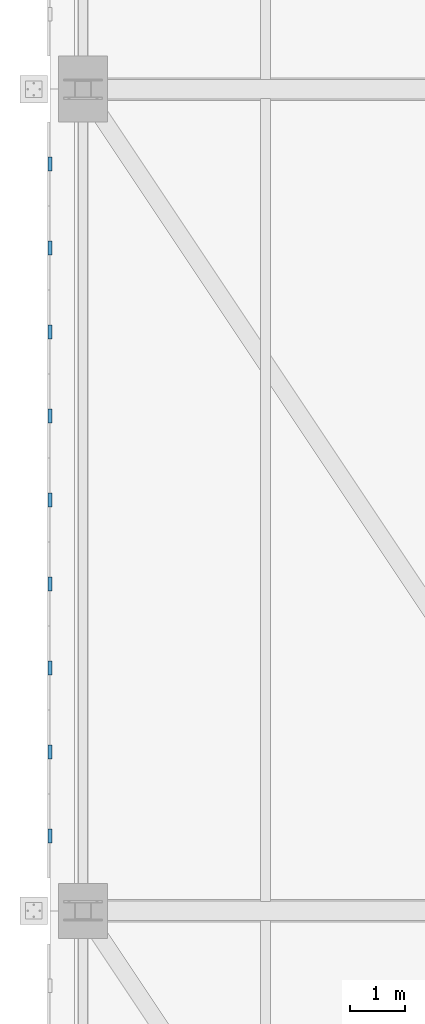
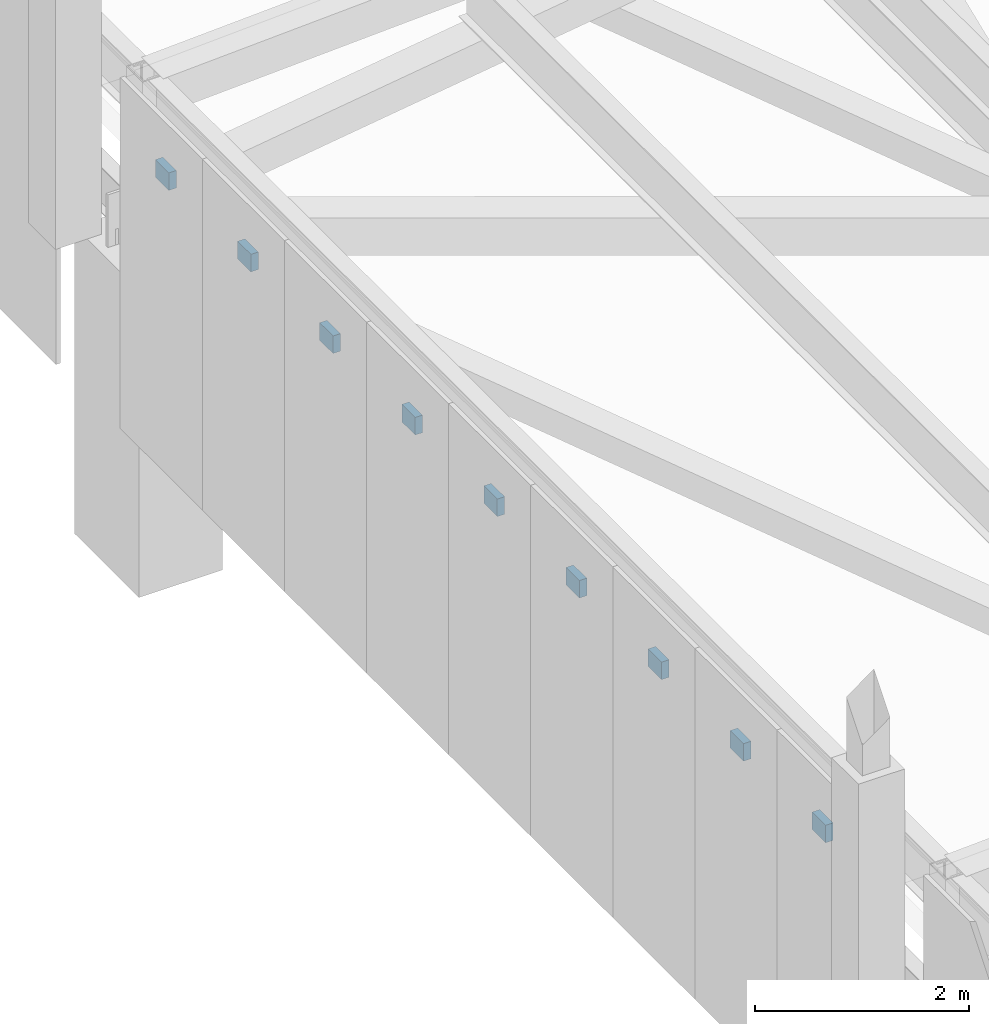
# One storey, part 166 of 278: 9 discrete accessories.
"""IFC4 building model written with IfcOpenShell, lengths in metres."""

from ifc_helpers import new_model, si_unit, direction, frame, origin, origin_2d, place, context, subcontext, project, spatial, rectangle, extrude, material, layer, layer_set, type_object, element, save


model = new_model("IFC4")

# Units and contexts
model_context = context("Model", 3, precision=1e-05, world=origin(), true_north=direction((0.0, 1.0)))
body_context = subcontext(model_context, "Body", "Model", "MODEL_VIEW")
ifc_project = project(units=[si_unit("LENGTHUNIT", "METRE"), si_unit("AREAUNIT", "SQUARE_METRE"), si_unit("VOLUMEUNIT", "CUBIC_METRE"), si_unit("PLANEANGLEUNIT", "RADIAN"), si_unit("MASSUNIT", "GRAM", prefix="KILO")], contexts=[model_context])

# Site, building, storey
site_placement = place(None, origin())
site = spatial("IfcSite", under=ifc_project, at=site_placement, CompositionType="ELEMENT")
building_placement = place(site_placement, origin())
building = spatial("IfcBuilding", under=site, at=building_placement, Name="Ogive Plaza Stadium", CompositionType="ELEMENT")
storey_placement = place(building_placement, frame((0.0, 0.0, 29.0)))
storey = spatial("IfcBuildingStorey", under=building, at=storey_placement, Name="Roof", CompositionType="ELEMENT", Elevation=29.0)

# Discrete accessories
ifc_material = material(Name="Steel ASTM A572 Grade 50", Category="steel")
ifc_layer = layer(ifc_material, 0.080078125)
ifc_layer_set = layer_set([ifc_layer], Name="Steel ASTM A572 Grade 50")
discrete_accessory_type = type_object("IfcDiscreteAccessoryType", Name="Tracery screen bracket 250x200", PredefinedType="BRACKET", material=ifc_layer_set)
for number, where, z_axis, x_axis, name in (
    (1, (-84.602294921875, 8.86669921875, 5.25), (0.0, 0.0, 1.0), (0.0, 1.0, 0.0), "TRACERY SCREEN BRACKET B25 1"),
    (2, (-84.602294921875, 10.39990234375, 5.25), (0.0, 0.0, 1.0), (0.0, 1.0, 0.0), "TRACERY SCREEN BRACKET B25 2"),
    (3, (-84.602294921875, 11.933349609375, 5.25), (0.0, 0.0, 1.0), (0.0, 1.0, 0.0), "TRACERY SCREEN BRACKET B25 3"),
    (4, (-84.602294921875, 13.466796875, 5.25), (0.0, 0.0, 1.0), (0.0, 1.0, 0.0), "TRACERY SCREEN BRACKET B25 4"),
    (5, (-84.602294921875, 15.0, 5.25), (0.0, 0.0, 1.0), (0.0, 1.0, 0.0), "TRACERY SCREEN BRACKET B25 5"),
    (6, (-84.602294921875, 16.533203125, 5.25), (0.0, 0.0, 1.0), (0.0, 1.0, 0.0), "TRACERY SCREEN BRACKET B25 6"),
    (7, (-84.602294921875, 18.066650390625, 5.25), (0.0, 0.0, 1.0), (0.0, 1.0, 0.0), "TRACERY SCREEN BRACKET B25 7"),
    (8, (-84.602294921875, 19.60009765625, 5.25), (0.0, 0.0, 1.0), (0.0, 1.0, 0.0), "TRACERY SCREEN BRACKET B25 8"),
    (9, (-84.602294921875, 21.13330078125, 5.25), (0.0, 0.0, 1.0), (0.0, 1.0, 0.0), "TRACERY SCREEN BRACKET B25 9"),
):
    element("IfcDiscreteAccessory", number, at=place(storey_placement, frame(where, z_axis=z_axis, x_axis=x_axis)), inside=storey, type_object=discrete_accessory_type, Name=name, PredefinedType="BRACKET", context=body_context, shape_type="SweptSolid", body=[
        extrude(rectangle(XDim=0.25, YDim=0.080078125, at=origin_2d()), origin(), (0.0, 0.0, 1.0), 0.199951171875),
    ])

save(model, "model.ifc")
